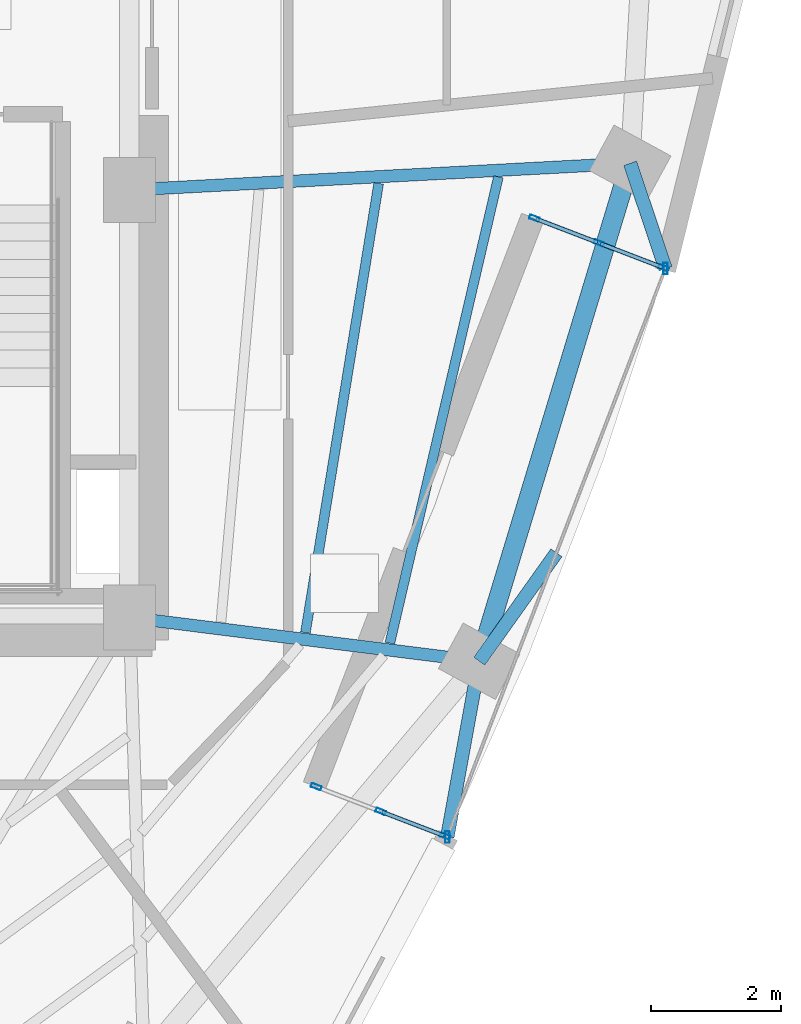
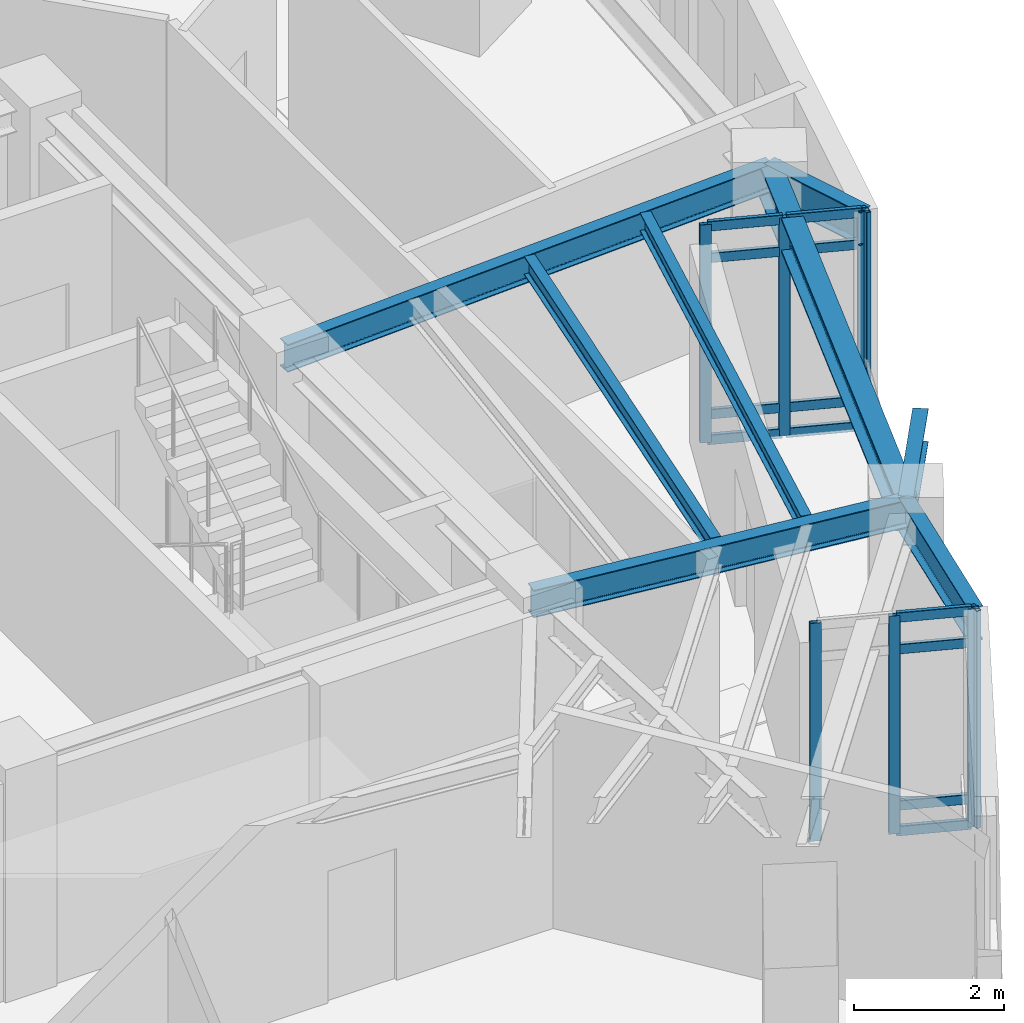
# One storey, part 2 of 10: 20 members, 8 beams, 2 elements without a shape of their own.
"""IFC4 building model written with IfcOpenShell, lengths in metres."""

from ifc_helpers import new_model, si_unit, direction, frame, origin, origin_2d, place, context, subcontext, project, spatial, hollow_rectangle, i_section, extrude, material, layer, layer_set, material_profile, profile_set, type_object, element, aggregate, save


model = new_model("IFC4")

# Units and contexts
model_context = context("Model", 3, precision=1e-05, world=origin(), true_north=direction((0.0, 1.0)))
body_context = subcontext(model_context, "Body", "Model", "MODEL_VIEW")
ifc_project = project(units=[si_unit("LENGTHUNIT", "METRE"), si_unit("AREAUNIT", "SQUARE_METRE"), si_unit("VOLUMEUNIT", "CUBIC_METRE"), si_unit("PLANEANGLEUNIT", "RADIAN"), si_unit("MASSUNIT", "GRAM", prefix="KILO")], contexts=[model_context])

# Site, building, storey
site_placement = place(None, origin())
site = spatial("IfcSite", under=ifc_project, at=site_placement, CompositionType="ELEMENT")
building_placement = place(site_placement, origin())
building = spatial("IfcBuilding", under=site, at=building_placement, Name="Ndelora Gate Hotel", CompositionType="ELEMENT")
storey_placement = place(building_placement, frame((0.0, 0.0, 243.550048828125)))
storey = spatial("IfcBuildingStorey", under=building, at=storey_placement, Name="L61", CompositionType="ELEMENT", Elevation=243.550048828125)

# Beams
ifc_material_1 = material(Name="Steel S355", Category="steel")
ifc_material_profile_1 = material_profile(ifc_material_1, i_section(OverallWidth=0.14990234375, OverallDepth=0.300048828125, WebThickness=0.007080078125, FlangeThickness=0.0107421875, FilletRadius=0.014892578125, at=origin_2d()), Name="IPE 300")
ifc_profile_set_1 = profile_set([ifc_material_profile_1], Name="Steel S355")
beam_type_1 = type_object("IfcBeamType", Name="BM-JST-300", PredefinedType="JOIST", material=ifc_profile_set_1)
beam_1_placement = place(storey_placement, frame((10.717041015625, -6.834228515625, 3.39990234375), z_axis=(0.160939239626, 0.986964316046, 0.0), x_axis=(-0.986964316046, 0.160939239626, 0.0)))
element("IfcBeam", 1, at=beam_1_placement, inside=storey, type_object=beam_type_1, Name="L61 Secondary Composite Floor Joist MID-7", PredefinedType="JOIST", context=body_context, shape_type="SweptSolid", body=[
    extrude(i_section(OverallWidth=0.14990234375, OverallDepth=0.300048828125, WebThickness=0.007080078125, FlangeThickness=0.0107421875, FilletRadius=0.014892578125, at=origin_2d()), origin(), (0.0, 0.0, 1.0), 7.028076171875),
])
beam_2_placement = place(storey_placement, frame((12.02001953125, -6.997802734375, 3.39990234375), z_axis=(0.22674518397, 0.973954116756, 0.0), x_axis=(-0.973954116756, 0.22674518397, 0.0)))
element("IfcBeam", 2, at=beam_2_placement, inside=storey, type_object=beam_type_1, Name="L61 Secondary Composite Floor Joist OUT-7", PredefinedType="JOIST", context=body_context, shape_type="SweptSolid", body=[
    extrude(i_section(OverallWidth=0.14990234375, OverallDepth=0.300048828125, WebThickness=0.007080078125, FlangeThickness=0.0107421875, FilletRadius=0.014892578125, at=origin_2d()), origin(), (0.0, 0.0, 1.0), 7.392822265625),
])
ifc_material_profile_2 = material_profile(ifc_material_1, i_section(OverallWidth=0.18994140625, OverallDepth=0.449951171875, WebThickness=0.009521484375, FlangeThickness=0.0146484375, FilletRadius=0.02099609375, at=origin_2d()), Name="IPE 450")
ifc_profile_set_2 = profile_set([ifc_material_profile_2], Name="Steel S355")
beam_type_2 = type_object("IfcBeamType", Name="BM-RAD-450", PredefinedType="BEAM", material=ifc_profile_set_2)
beam_3_placement = place(storey_placement, frame((8.0, -6.60009765625, 3.324951171875), z_axis=(0.992266830725, -0.124123070552, 0.0), x_axis=(0.124123070552, 0.992266830725, 0.0)))
element("IfcBeam", 3, at=beam_3_placement, inside=storey, type_object=beam_type_2, Name="L61 Radial Floor Girder 7", PredefinedType="BEAM", context=body_context, shape_type="SweptSolid", body=[
    extrude(i_section(OverallWidth=0.18994140625, OverallDepth=0.449951171875, WebThickness=0.009521484375, FlangeThickness=0.0146484375, FilletRadius=0.02099609375, at=origin_2d()), origin(), (0.0, 0.0, 1.0), 5.4423828125),
])
beam_4_placement = place(storey_placement, frame((8.0, 0.0, 3.324951171875), z_axis=(0.998583554121, 0.053206065814, 0.0), x_axis=(-0.053206065814, 0.998583554121, 0.0)))
element("IfcBeam", 4, at=beam_4_placement, inside=storey, type_object=beam_type_2, Name="L61 Radial Floor Girder 8", PredefinedType="BEAM", context=body_context, shape_type="SweptSolid", body=[
    extrude(i_section(OverallWidth=0.18994140625, OverallDepth=0.449951171875, WebThickness=0.009521484375, FlangeThickness=0.0146484375, FilletRadius=0.02099609375, at=origin_2d()), origin(), (0.0, 0.0, 1.0), 7.740966796875),
])
ifc_material_profile_3 = material_profile(ifc_material_1, i_section(OverallWidth=0.2099609375, OverallDepth=0.550048828125, WebThickness=0.010986328125, FlangeThickness=0.01708984375, FilletRadius=0.02392578125, at=origin_2d()), Name="IPE 550")
ifc_profile_set_3 = profile_set([ifc_material_profile_3], Name="Steel S355")
beam_type_3 = type_object("IfcBeamType", Name="BM-RAD-550", PredefinedType="BEAM", material=ifc_profile_set_3)
beam_5_placement = place(storey_placement, frame((13.400390625, -7.275634765625, 3.27490234375), z_axis=(-0.178737417868, -0.983896811385, 0.0), x_axis=(0.983896811385, -0.178737417868, 0.0)))
element("IfcBeam", 5, at=beam_5_placement, inside=storey, type_object=beam_type_3, Name="L61 Sky-Garden Loggia Column Bracket 1", PredefinedType="BEAM", context=body_context, shape_type="SweptSolid", body=[
    extrude(i_section(OverallWidth=0.2099609375, OverallDepth=0.550048828125, WebThickness=0.010986328125, FlangeThickness=0.01708984375, FilletRadius=0.02392578125, at=origin_2d()), origin(), (0.0, 0.0, 1.0), 2.7578125),
])
beam_6_placement = place(storey_placement, frame((13.400390625, -7.275634765625, 3.27490234375), z_axis=(0.579776256686, 0.814775731219, 0.0), x_axis=(-0.814775731219, 0.579776256686, 0.0)))
element("IfcBeam", 6, at=beam_6_placement, inside=storey, type_object=beam_type_3, Name="L61 Sky-Garden Loggia Column Bracket 2", PredefinedType="BEAM", context=body_context, shape_type="SweptSolid", body=[
    extrude(i_section(OverallWidth=0.2099609375, OverallDepth=0.550048828125, WebThickness=0.010986328125, FlangeThickness=0.01708984375, FilletRadius=0.02392578125, at=origin_2d()), origin(), (0.0, 0.0, 1.0), 2.054931640625),
])
beam_7_placement = place(storey_placement, frame((15.72998046875, 0.411865234375, 3.27490234375), z_axis=(0.31853360111, -0.947911570224, 0.0), x_axis=(0.947911570224, 0.31853360111, 0.0)))
element("IfcBeam", 7, at=beam_7_placement, inside=storey, type_object=beam_type_3, Name="L61 Sky-Garden Loggia Column Bracket 3", PredefinedType="BEAM", context=body_context, shape_type="SweptSolid", body=[
    extrude(i_section(OverallWidth=0.2099609375, OverallDepth=0.550048828125, WebThickness=0.010986328125, FlangeThickness=0.01708984375, FilletRadius=0.02392578125, at=origin_2d()), origin(), (0.0, 0.0, 1.0), 1.714599609375),
])
ifc_material_profile_4 = material_profile(ifc_material_1, i_section(OverallWidth=0.300048828125, OverallDepth=0.550048828125, WebThickness=0.014892578125, FlangeThickness=0.029052734375, FilletRadius=0.027099609375, at=origin_2d()), Name="HEB 550")
ifc_profile_set_4 = profile_set([ifc_material_profile_4], Name="Steel S355")
beam_type_4 = type_object("IfcBeamType", Name="BM-RING-550", PredefinedType="SPANDREL", material=ifc_profile_set_4)
beam_8_placement = place(storey_placement, frame((13.400390625, -7.275634765625, 3.27490234375), z_axis=(0.290012456561, 0.957022870698, 0.0), x_axis=(-0.957022870698, 0.290012456561, 0.0)))
element("IfcBeam", 8, at=beam_8_placement, inside=storey, type_object=beam_type_4, Name="L61 Perimeter Spandrel Girder 7", PredefinedType="SPANDREL", context=body_context, shape_type="SweptSolid", body=[
    extrude(i_section(OverallWidth=0.300048828125, OverallDepth=0.550048828125, WebThickness=0.014892578125, FlangeThickness=0.029052734375, FilletRadius=0.027099609375, at=origin_2d()), origin(), (0.0, 0.0, 1.0), 8.03271484375),
])

# Curtain wall, members
ifc_material_2 = material(Name="Bronze Anodised Unitised Aluminium and Low-E Glass", Category="aluminium")
ifc_layer = layer(ifc_material_2, 0.199951171875)
ifc_layer_set = layer_set([ifc_layer], Name="Bronze Anodised Unitised Aluminium and Low-E Glass")
curtain_wall_type = type_object("IfcCurtainWallType", Name="CW-SYS-3", PredefinedType="NOTDEFINED", material=ifc_layer_set)
curtain_wall_1_placement = place(storey_placement, origin())
curtain_wall_1 = element("IfcCurtainWall", 9, at=curtain_wall_1_placement, inside=storey, type_object=curtain_wall_type, Name="L61 Sky-Garden Loggia Side Curtain Wall CW3-1", PredefinedType="NOTDEFINED")
ifc_material_3 = material(Name="Bronze Anodised Aluminium 6063-T6", Category="aluminium")
ifc_material_profile_5 = material_profile(ifc_material_3, hollow_rectangle(XDim=0.06494140625, YDim=0.159912109375, WallThickness=0.00390625, InnerFilletRadius=0.00390625, OuterFilletRadius=0.008056640625, at=origin_2d()), Name="ALU 160x65x4")
ifc_profile_set_5 = profile_set([ifc_material_profile_5], Name="Bronze Anodised Aluminium 6063-T6")
member_type_1 = type_object("IfcMemberType", Name="MB-CW-MUL150", PredefinedType="MULLION", material=ifc_profile_set_5)
member_1_placement = place(storey_placement, frame((10.884033203125, -9.21240234375, -0.004150390625), z_axis=(0.0, 0.0, 1.0), x_axis=(0.35837589096, 0.933577378035, 0.0)))
member_1 = element("IfcMember", 10, at=member_1_placement, type_object=member_type_1, Name="CW3 mullion 1", PredefinedType="MULLION", context=body_context, shape_type="SweptSolid", body=[
    extrude(hollow_rectangle(XDim=0.06494140625, YDim=0.159912109375, WallThickness=0.00390625, InnerFilletRadius=0.00390625, OuterFilletRadius=0.008056640625, at=origin_2d()), origin(), (0.0, 0.0, 1.0), 3.55810546875),
])
member_2_placement = place(storey_placement, frame((11.880615234375, -9.594970703125, -0.004150390625), z_axis=(0.0, 0.0, 1.0), x_axis=(0.35837589096, 0.933577378035, 0.0)))
member_2 = element("IfcMember", 11, at=member_2_placement, type_object=member_type_1, Name="CW3 mullion 2", PredefinedType="MULLION", context=body_context, shape_type="SweptSolid", body=[
    extrude(hollow_rectangle(XDim=0.06494140625, YDim=0.159912109375, WallThickness=0.00390625, InnerFilletRadius=0.00390625, OuterFilletRadius=0.008056640625, at=origin_2d()), origin(), (0.0, 0.0, 1.0), 3.55810546875),
])
member_3_placement = place(storey_placement, frame((12.876953125, -9.9775390625, -0.004150390625), z_axis=(0.0, 0.0, 1.0), x_axis=(0.35837589096, 0.933577378035, 0.0)))
member_3 = element("IfcMember", 12, at=member_3_placement, type_object=member_type_1, Name="CW3 mullion 3", PredefinedType="MULLION", context=body_context, shape_type="SweptSolid", body=[
    extrude(hollow_rectangle(XDim=0.06494140625, YDim=0.159912109375, WallThickness=0.00390625, InnerFilletRadius=0.00390625, OuterFilletRadius=0.008056640625, at=origin_2d()), origin(), (0.0, 0.0, 1.0), 3.55810546875),
])

curtain_wall_2_placement = place(storey_placement, origin())
curtain_wall_2 = element("IfcCurtainWall", 13, at=curtain_wall_2_placement, inside=storey, type_object=curtain_wall_type, Name="L61 Sky-Garden Loggia Side Curtain Wall CW3-2", PredefinedType="NOTDEFINED")
member_4_placement = place(storey_placement, frame((16.245849609375, -1.20166015625, -0.004150390625), z_axis=(0.0, 0.0, 1.0), x_axis=(-0.358360683234, -0.93358321574, 0.0)))
member_4 = element("IfcMember", 14, at=member_4_placement, type_object=member_type_1, Name="CW3 mullion 1", PredefinedType="MULLION", context=body_context, shape_type="SweptSolid", body=[
    extrude(hollow_rectangle(XDim=0.06494140625, YDim=0.159912109375, WallThickness=0.00390625, InnerFilletRadius=0.00390625, OuterFilletRadius=0.008056640625, at=origin_2d()), origin(), (0.0, 0.0, 1.0), 3.55810546875),
])
member_5_placement = place(storey_placement, frame((15.249267578125, -0.819091796875, -0.004150390625), z_axis=(0.0, 0.0, 1.0), x_axis=(-0.358360683234, -0.93358321574, 0.0)))
member_5 = element("IfcMember", 15, at=member_5_placement, type_object=member_type_1, Name="CW3 mullion 2", PredefinedType="MULLION", context=body_context, shape_type="SweptSolid", body=[
    extrude(hollow_rectangle(XDim=0.06494140625, YDim=0.159912109375, WallThickness=0.00390625, InnerFilletRadius=0.00390625, OuterFilletRadius=0.008056640625, at=origin_2d()), origin(), (0.0, 0.0, 1.0), 3.55810546875),
])
member_6_placement = place(storey_placement, frame((14.25244140625, -0.436767578125, -0.004150390625), z_axis=(0.0, 0.0, 1.0), x_axis=(-0.358360683234, -0.93358321574, 0.0)))
member_6 = element("IfcMember", 16, at=member_6_placement, type_object=member_type_1, Name="CW3 mullion 3", PredefinedType="MULLION", context=body_context, shape_type="SweptSolid", body=[
    extrude(hollow_rectangle(XDim=0.06494140625, YDim=0.159912109375, WallThickness=0.00390625, InnerFilletRadius=0.00390625, OuterFilletRadius=0.008056640625, at=origin_2d()), origin(), (0.0, 0.0, 1.0), 3.55810546875),
])

# Member
ifc_material_profile_6 = material_profile(ifc_material_3, hollow_rectangle(XDim=0.070068359375, YDim=0.179931640625, WallThickness=0.0048828125, InnerFilletRadius=0.0048828125, OuterFilletRadius=0.010009765625, at=origin_2d()), Name="ALU 180x70x5")
ifc_profile_set_6 = profile_set([ifc_material_profile_6], Name="Bronze Anodised Aluminium 6063-T6")
member_type_2 = type_object("IfcMemberType", Name="MB-CW-MUL180", PredefinedType="MULLION", material=ifc_profile_set_6)
member_7_placement = place(storey_placement, frame((12.907470703125, -9.989013671875, 0.0), z_axis=(0.0, 0.0, 1.0), x_axis=(1.0, 0.0, 0.0)))
member_7 = element("IfcMember", 17, at=member_7_placement, type_object=member_type_2, Name="L61 Sky-Garden Loggia Corner Mullion Post 1", PredefinedType="MULLION", context=body_context, shape_type="SweptSolid", body=[
    extrude(hollow_rectangle(XDim=0.070068359375, YDim=0.179931640625, WallThickness=0.0048828125, InnerFilletRadius=0.0048828125, OuterFilletRadius=0.010009765625, at=origin_2d()), origin(), (0.0, 0.0, 1.0), 3.550048828125),
])

member_8_placement = place(storey_placement, frame((16.276123046875, -1.21337890625, 0.0), z_axis=(0.0, 0.0, 1.0), x_axis=(1.0, 0.0, 0.0)))
member_8 = element("IfcMember", 18, at=member_8_placement, type_object=member_type_2, Name="L61 Sky-Garden Loggia Corner Mullion Post 2", PredefinedType="MULLION", context=body_context, shape_type="SweptSolid", body=[
    extrude(hollow_rectangle(XDim=0.070068359375, YDim=0.179931640625, WallThickness=0.0048828125, InnerFilletRadius=0.0048828125, OuterFilletRadius=0.010009765625, at=origin_2d()), origin(), (0.0, 0.0, 1.0), 3.550048828125),
])

ifc_material_profile_7 = material_profile(ifc_material_3, hollow_rectangle(XDim=0.06494140625, YDim=0.159912109375, WallThickness=0.00390625, InnerFilletRadius=0.00390625, OuterFilletRadius=0.008056640625, at=origin_2d()), Name="ALU 160x65x4")
ifc_profile_set_7 = profile_set([ifc_material_profile_7], Name="Bronze Anodised Aluminium 6063-T6")
member_type_3 = type_object("IfcMemberType", Name="MB-CW-TRN150", PredefinedType="USERDEFINED", material=ifc_profile_set_7)
member_9_placement = place(storey_placement, frame((11.9052734375, -9.6044921875, 0.032470703125), z_axis=(0.93358111833, -0.358366147253, 0.0), x_axis=(0.358366147253, 0.93358111833, 0.0)))
member_9 = element("IfcMember", 19, at=member_9_placement, type_object=member_type_3, Name="CW3 transom 2.1", ObjectType="TRANSOM", PredefinedType="USERDEFINED", context=body_context, shape_type="SweptSolid", body=[
    extrude(hollow_rectangle(XDim=0.06494140625, YDim=0.159912109375, WallThickness=0.00390625, InnerFilletRadius=0.00390625, OuterFilletRadius=0.008056640625, at=origin_2d()), origin(), (0.0, 0.0, 1.0), 1.014404296875),
])

member_10_placement = place(storey_placement, frame((11.9052734375, -9.6044921875, 0.449951171875), z_axis=(0.93358111833, -0.358366147253, 0.0), x_axis=(0.358366147253, 0.93358111833, 0.0)))
member_10 = element("IfcMember", 20, at=member_10_placement, type_object=member_type_3, Name="CW3 transom 2.2", ObjectType="TRANSOM", PredefinedType="USERDEFINED", context=body_context, shape_type="SweptSolid", body=[
    extrude(hollow_rectangle(XDim=0.06494140625, YDim=0.159912109375, WallThickness=0.00390625, InnerFilletRadius=0.00390625, OuterFilletRadius=0.008056640625, at=origin_2d()), origin(), (0.0, 0.0, 1.0), 1.014404296875),
])

member_11_placement = place(storey_placement, frame((11.9052734375, -9.6044921875, 3.0), z_axis=(0.93358111833, -0.358366147253, 0.0), x_axis=(0.358366147253, 0.93358111833, 0.0)))
member_11 = element("IfcMember", 21, at=member_11_placement, type_object=member_type_3, Name="CW3 transom 2.3", ObjectType="TRANSOM", PredefinedType="USERDEFINED", context=body_context, shape_type="SweptSolid", body=[
    extrude(hollow_rectangle(XDim=0.06494140625, YDim=0.159912109375, WallThickness=0.00390625, InnerFilletRadius=0.00390625, OuterFilletRadius=0.008056640625, at=origin_2d()), origin(), (0.0, 0.0, 1.0), 1.014404296875),
])

member_12_placement = place(storey_placement, frame((11.9052734375, -9.6044921875, 3.517333984375), z_axis=(0.93358111833, -0.358366147253, 0.0), x_axis=(0.358366147253, 0.93358111833, 0.0)))
member_12 = element("IfcMember", 22, at=member_12_placement, type_object=member_type_3, Name="CW3 transom 2.4", ObjectType="TRANSOM", PredefinedType="USERDEFINED", context=body_context, shape_type="SweptSolid", body=[
    extrude(hollow_rectangle(XDim=0.06494140625, YDim=0.159912109375, WallThickness=0.00390625, InnerFilletRadius=0.00390625, OuterFilletRadius=0.008056640625, at=origin_2d()), origin(), (0.0, 0.0, 1.0), 1.014404296875),
])

aggregate(curtain_wall_1, [member_1, member_2, member_3, member_9, member_10, member_11, member_12, member_7])

member_13_placement = place(storey_placement, frame((16.220947265625, -1.192138671875, 0.032470703125), z_axis=(-0.93358111833, 0.358366147253, 0.0), x_axis=(-0.358366147253, -0.93358111833, 0.0)))
member_13 = element("IfcMember", 23, at=member_13_placement, type_object=member_type_3, Name="CW3 transom 1.1", ObjectType="TRANSOM", PredefinedType="USERDEFINED", context=body_context, shape_type="SweptSolid", body=[
    extrude(hollow_rectangle(XDim=0.06494140625, YDim=0.159912109375, WallThickness=0.00390625, InnerFilletRadius=0.00390625, OuterFilletRadius=0.008056640625, at=origin_2d()), origin(), (0.0, 0.0, 1.0), 1.014404296875),
])

member_14_placement = place(storey_placement, frame((16.220947265625, -1.192138671875, 0.449951171875), z_axis=(-0.93358111833, 0.358366147253, 0.0), x_axis=(-0.358366147253, -0.93358111833, 0.0)))
member_14 = element("IfcMember", 24, at=member_14_placement, type_object=member_type_3, Name="CW3 transom 1.2", ObjectType="TRANSOM", PredefinedType="USERDEFINED", context=body_context, shape_type="SweptSolid", body=[
    extrude(hollow_rectangle(XDim=0.06494140625, YDim=0.159912109375, WallThickness=0.00390625, InnerFilletRadius=0.00390625, OuterFilletRadius=0.008056640625, at=origin_2d()), origin(), (0.0, 0.0, 1.0), 1.014404296875),
])

member_15_placement = place(storey_placement, frame((16.220947265625, -1.192138671875, 3.0), z_axis=(-0.93358111833, 0.358366147253, 0.0), x_axis=(-0.358366147253, -0.93358111833, 0.0)))
member_15 = element("IfcMember", 25, at=member_15_placement, type_object=member_type_3, Name="CW3 transom 1.3", ObjectType="TRANSOM", PredefinedType="USERDEFINED", context=body_context, shape_type="SweptSolid", body=[
    extrude(hollow_rectangle(XDim=0.06494140625, YDim=0.159912109375, WallThickness=0.00390625, InnerFilletRadius=0.00390625, OuterFilletRadius=0.008056640625, at=origin_2d()), origin(), (0.0, 0.0, 1.0), 1.014404296875),
])

member_16_placement = place(storey_placement, frame((16.220947265625, -1.192138671875, 3.517333984375), z_axis=(-0.93358111833, 0.358366147253, 0.0), x_axis=(-0.358366147253, -0.93358111833, 0.0)))
member_16 = element("IfcMember", 26, at=member_16_placement, type_object=member_type_3, Name="CW3 transom 1.4", ObjectType="TRANSOM", PredefinedType="USERDEFINED", context=body_context, shape_type="SweptSolid", body=[
    extrude(hollow_rectangle(XDim=0.06494140625, YDim=0.159912109375, WallThickness=0.00390625, InnerFilletRadius=0.00390625, OuterFilletRadius=0.008056640625, at=origin_2d()), origin(), (0.0, 0.0, 1.0), 1.014404296875),
])

member_17_placement = place(storey_placement, frame((15.224365234375, -0.809814453125, 0.032470703125), z_axis=(-0.933500580315, 0.358575886741, 0.0), x_axis=(-0.358575886741, -0.933500580315, 0.0)))
member_17 = element("IfcMember", 27, at=member_17_placement, type_object=member_type_3, Name="CW3 transom 2.1", ObjectType="TRANSOM", PredefinedType="USERDEFINED", context=body_context, shape_type="SweptSolid", body=[
    extrude(hollow_rectangle(XDim=0.06494140625, YDim=0.159912109375, WallThickness=0.00390625, InnerFilletRadius=0.00390625, OuterFilletRadius=0.008056640625, at=origin_2d()), origin(), (0.0, 0.0, 1.0), 1.014404296875),
])

member_18_placement = place(storey_placement, frame((15.224365234375, -0.809814453125, 0.449951171875), z_axis=(-0.933500580315, 0.358575886741, 0.0), x_axis=(-0.358575886741, -0.933500580315, 0.0)))
member_18 = element("IfcMember", 28, at=member_18_placement, type_object=member_type_3, Name="CW3 transom 2.2", ObjectType="TRANSOM", PredefinedType="USERDEFINED", context=body_context, shape_type="SweptSolid", body=[
    extrude(hollow_rectangle(XDim=0.06494140625, YDim=0.159912109375, WallThickness=0.00390625, InnerFilletRadius=0.00390625, OuterFilletRadius=0.008056640625, at=origin_2d()), origin(), (0.0, 0.0, 1.0), 1.014404296875),
])

member_19_placement = place(storey_placement, frame((15.224365234375, -0.809814453125, 3.0), z_axis=(-0.933500580315, 0.358575886741, 0.0), x_axis=(-0.358575886741, -0.933500580315, 0.0)))
member_19 = element("IfcMember", 29, at=member_19_placement, type_object=member_type_3, Name="CW3 transom 2.3", ObjectType="TRANSOM", PredefinedType="USERDEFINED", context=body_context, shape_type="SweptSolid", body=[
    extrude(hollow_rectangle(XDim=0.06494140625, YDim=0.159912109375, WallThickness=0.00390625, InnerFilletRadius=0.00390625, OuterFilletRadius=0.008056640625, at=origin_2d()), origin(), (0.0, 0.0, 1.0), 1.014404296875),
])

member_20_placement = place(storey_placement, frame((15.224365234375, -0.809814453125, 3.517333984375), z_axis=(-0.933500580315, 0.358575886741, 0.0), x_axis=(-0.358575886741, -0.933500580315, 0.0)))
member_20 = element("IfcMember", 30, at=member_20_placement, type_object=member_type_3, Name="CW3 transom 2.4", ObjectType="TRANSOM", PredefinedType="USERDEFINED", context=body_context, shape_type="SweptSolid", body=[
    extrude(hollow_rectangle(XDim=0.06494140625, YDim=0.159912109375, WallThickness=0.00390625, InnerFilletRadius=0.00390625, OuterFilletRadius=0.008056640625, at=origin_2d()), origin(), (0.0, 0.0, 1.0), 1.014404296875),
])

aggregate(curtain_wall_2, [member_4, member_5, member_6, member_13, member_14, member_15, member_16, member_17, member_18, member_19, member_20, member_8])

save(model, "model.ifc")
